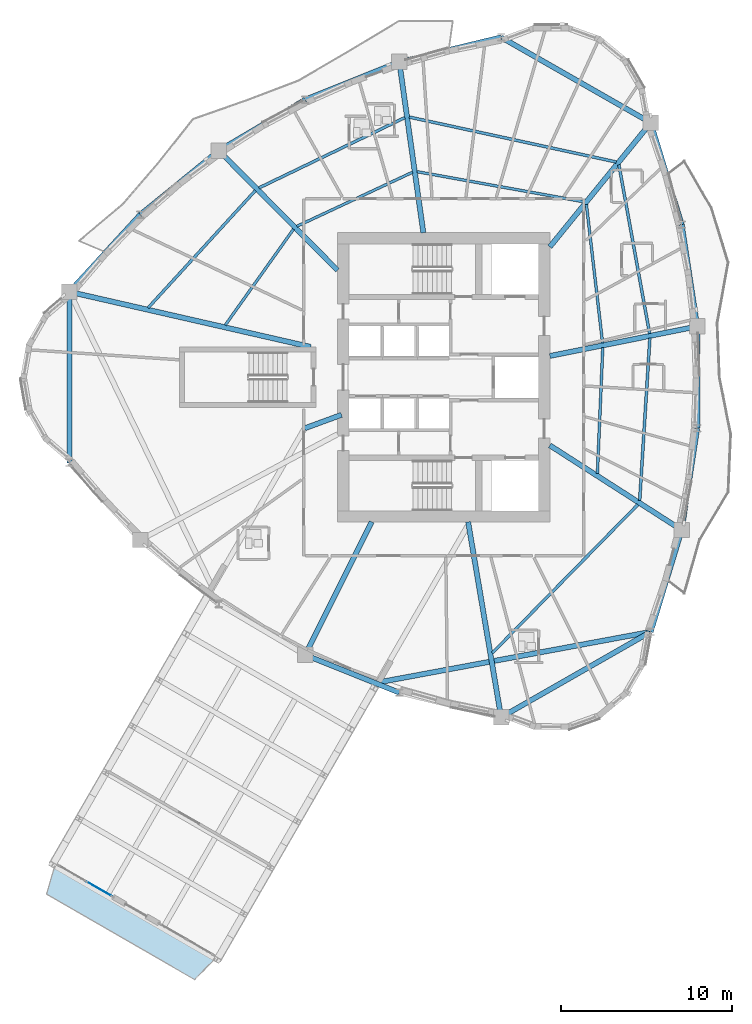
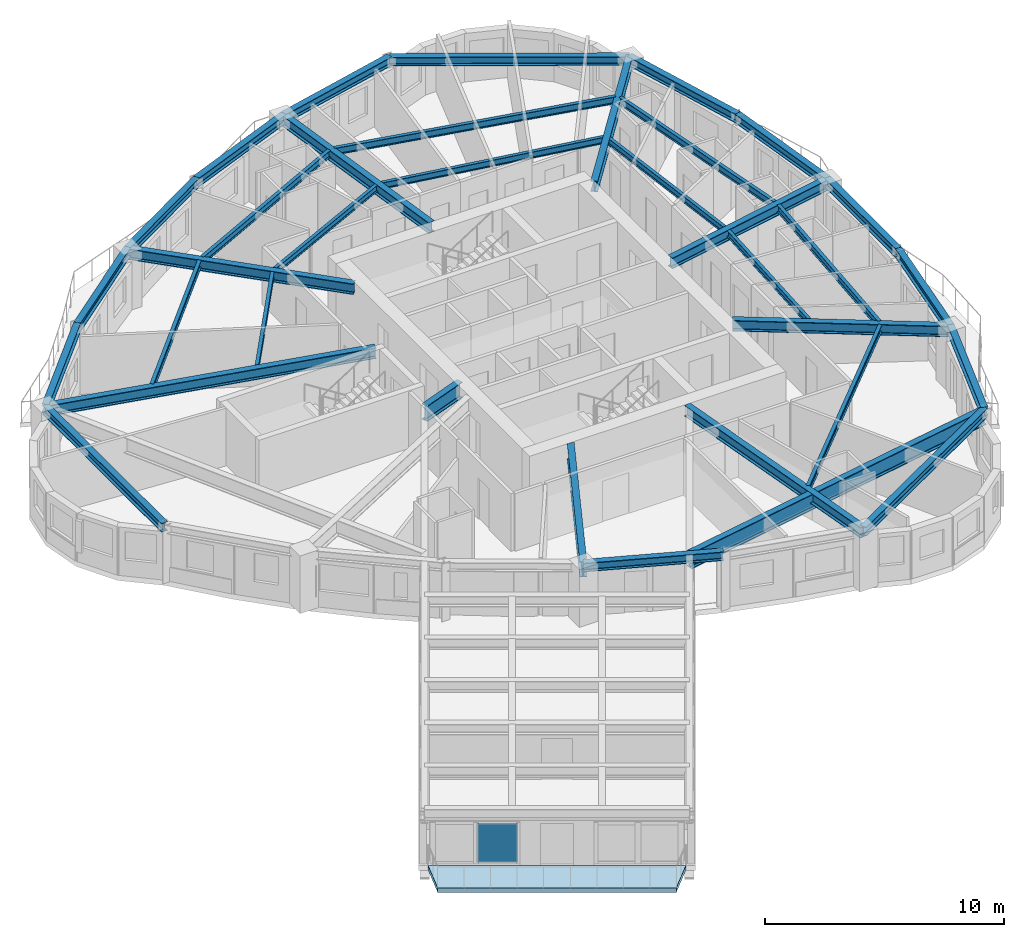
# One storey, part 3 of 17: 35 beams, 1 plate, 1 slab, 1 element without a shape of its own.
"""IFC4 building model written with IfcOpenShell, lengths in metres."""

import ifcopenshell
import ifcopenshell.guid

model = None  # the IFC model being written
_history = None  # IfcOwnerHistory: only IFC2X3 demands one
_inside = {}  # id of a spatial element -> (the spatial element, [elements in it])
_under = {}  # id of a project, library or spatial element -> (it, [spatial elements below it])
_declared = {}  # id of a project -> (the project, [libraries it declares])
_typed = {}  # id of a type object -> (the type object, [elements of that type])
_made_of = {}  # id of a material, layer set ... -> (it, [elements and type objects made of it])


def new_model(schema):
    """Start an empty IFC model of exactly this schema.

    Asked for "IFC4X3", IfcOpenShell would pick the latest addendum, in which some entities
    have other attributes; the version numbers below select the first issue.
    IFC2X3 requires an IfcOwnerHistory on every rooted entity: one is made here for all.
    """
    global model, _history
    if schema == "IFC4X3":
        model = ifcopenshell.file(schema_version=(4, 3, 0, 0))
    else:
        model = ifcopenshell.file(schema=schema)
    _inside.clear()
    _under.clear()
    _declared.clear()
    _typed.clear()
    _made_of.clear()
    _history = None
    if model.schema == "IFC2X3":
        org = make("IfcOrganization", Name="unknown")
        user = make(
            "IfcPersonAndOrganization",
            ThePerson=make("IfcPerson", FamilyName="unknown"),
            TheOrganization=org,
        )
        app = make(
            "IfcApplication",
            ApplicationDeveloper=org,
            Version="unknown",
            ApplicationFullName="unknown",
            ApplicationIdentifier="unknown",
        )
        _history = make(
            "IfcOwnerHistory",
            OwningUser=user,
            OwningApplication=app,
            ChangeAction="ADDED",
            CreationDate=0,
        )
    return model


def make(cls, **values):
    """One entity of the class cls with the attributes given. An attribute that is None is left unset."""
    return model.create_entity(
        cls, **{name: value for name, value in values.items() if value is not None}
    )


def rooted(cls, **values):
    """An entity with a GlobalId (a new one), such as an element, a storey or a relation."""
    return make(cls, GlobalId=ifcopenshell.guid.new(), OwnerHistory=_history, **values)


def si_unit(unit_type, name, prefix=None):
    """IfcSIUnit, for example si_unit("LENGTHUNIT", "METRE", prefix="MILLI")."""
    return make("IfcSIUnit", UnitType=unit_type, Prefix=prefix, Name=name)


def assignment(units):
    """IfcUnitAssignment: the units of a project."""
    return None if units is None else make("IfcUnitAssignment", Units=units)


def point(xyz):
    """IfcCartesianPoint."""
    return None if xyz is None else make("IfcCartesianPoint", Coordinates=xyz)


def direction(xyz):
    """IfcDirection."""
    return None if xyz is None else make("IfcDirection", DirectionRatios=xyz)


def frame(location, z_axis=None, x_axis=None):
    """IfcAxis2Placement3D, a coordinate frame: its origin and axes. An axis left out is left unset."""
    return make(
        "IfcAxis2Placement3D",
        Location=point(location),
        Axis=direction(z_axis),
        RefDirection=direction(x_axis),
    )


def frame_2d(location, x_axis=None):
    """IfcAxis2Placement2D, a coordinate frame in the plane: its origin and x axis."""
    return make(
        "IfcAxis2Placement2D", Location=point(location), RefDirection=direction(x_axis)
    )


def origin():
    """The frame at (0, 0, 0) with its axes left unset."""
    return frame((0.0, 0.0, 0.0))


def origin_2d():
    """The frame at (0, 0) in the plane with its x axis left unset."""
    return frame_2d((0.0, 0.0))


def place(relative_to, where):
    """IfcLocalPlacement: puts the frame where relative to a parent placement (None: the world)."""
    return make(
        "IfcLocalPlacement", PlacementRelTo=relative_to, RelativePlacement=where
    )


def context(
    kind, dimensions, precision=None, world=None, true_north=None, identifier=None
):
    """IfcGeometricRepresentationContext, for example the 3D "Model" context."""
    return make(
        "IfcGeometricRepresentationContext",
        ContextIdentifier=identifier,
        ContextType=kind,
        CoordinateSpaceDimension=dimensions,
        Precision=precision,
        WorldCoordinateSystem=world,
        TrueNorth=true_north,
    )


def subcontext(parent, identifier, kind, view, scale=None):
    """IfcGeometricRepresentationSubContext, for example "Body" below "Model"."""
    return make(
        "IfcGeometricRepresentationSubContext",
        ContextIdentifier=identifier,
        ContextType=kind,
        ParentContext=parent,
        TargetScale=scale,
        TargetView=view,
    )


def project(units=None, contexts=None):
    """IfcProject with its units and contexts."""
    return rooted(
        "IfcProject",
        Name="project",
        RepresentationContexts=contexts,
        UnitsInContext=assignment(units),
    )


def spatial(cls, under=None, at=None, **own):
    """A site, building, storey or space (cls), placed at a placement, below another one or the project."""
    s = rooted(cls, ObjectPlacement=at, **own)
    if under is not None:
        _under.setdefault(under.id(), (under, []))[1].append(s)
    return s


def polyline(points):
    """IfcPolyline through the points."""
    return make("IfcPolyline", Points=[point(p) for p in points])


def profile(cls, at=None, kind="AREA", **sizes):
    """A parametric profile (cls). Its sizes go by their IFC names, for example OverallWidth=200.0."""
    return make(cls, ProfileType=kind, Position=at, **sizes)


def rectangle(**sizes):
    """IfcRectangleProfileDef."""
    return profile("IfcRectangleProfileDef", **sizes)


def i_section(**sizes):
    """IfcIShapeProfileDef."""
    return profile("IfcIShapeProfileDef", **sizes)


def outline(outer, holes=None, kind="AREA"):
    """IfcArbitraryClosedProfileDef: a profile drawn as a closed curve; with holes, ...WithVoids."""
    if holes is None:
        return make("IfcArbitraryClosedProfileDef", ProfileType=kind, OuterCurve=outer)
    return make(
        "IfcArbitraryProfileDefWithVoids",
        ProfileType=kind,
        OuterCurve=outer,
        InnerCurves=holes,
    )


def extrude(swept, where, along, depth):
    """IfcExtrudedAreaSolid: the profile swept, set in the frame where, extruded along a direction by depth."""
    return make(
        "IfcExtrudedAreaSolid",
        SweptArea=swept,
        Position=where,
        ExtrudedDirection=direction(along),
        Depth=depth,
    )


def shape(context_of_items, identifier, shape_type, items):
    """IfcShapeRepresentation: the items that make up one representation, for example the "Body"."""
    return make(
        "IfcShapeRepresentation",
        ContextOfItems=context_of_items,
        RepresentationIdentifier=identifier,
        RepresentationType=shape_type,
        Items=items,
    )


def source(mapping_origin, context_of_items, identifier, shape_type, items):
    """IfcRepresentationMap: a shape defined once, which mapped items show again and again."""
    return make(
        "IfcRepresentationMap",
        MappingOrigin=mapping_origin,
        MappedRepresentation=shape(context_of_items, identifier, shape_type, items),
    )


def transform(
    local_origin,
    x_axis=None,
    y_axis=None,
    z_axis=None,
    scale=None,
    scale2=None,
    scale3=None,
    uniform=True,
):
    """IfcCartesianTransformationOperator3D, or its non-uniform kind. x_axis, y_axis, z_axis: its Axis1, 2, 3."""
    if uniform:
        return make(
            "IfcCartesianTransformationOperator3D",
            Axis1=direction(x_axis),
            Axis2=direction(y_axis),
            LocalOrigin=point(local_origin),
            Scale=scale,
            Axis3=direction(z_axis),
        )
    return make(
        "IfcCartesianTransformationOperator3DnonUniform",
        Axis1=direction(x_axis),
        Axis2=direction(y_axis),
        LocalOrigin=point(local_origin),
        Scale=scale,
        Axis3=direction(z_axis),
        Scale2=scale2,
        Scale3=scale3,
    )


def mapped(mapping_source, mapping_target):
    """IfcMappedItem: shows the shape of a source again, moved by a transform."""
    return make(
        "IfcMappedItem", MappingSource=mapping_source, MappingTarget=mapping_target
    )


def material(Name=None, Category=None):
    """IfcMaterial."""
    return make("IfcMaterial", Name=Name, Category=Category)


def layer(
    of_material, thickness, ventilated=None, Name=None, Category=None, Priority=None
):
    """IfcMaterialLayer: one layer of a wall or slab, of a material (None: an air gap)."""
    return make(
        "IfcMaterialLayer",
        Material=of_material,
        LayerThickness=thickness,
        IsVentilated=ventilated,
        Name=Name,
        Category=Category,
        Priority=Priority,
    )


def layer_set(layers, Name=None):
    """IfcMaterialLayerSet."""
    return make("IfcMaterialLayerSet", MaterialLayers=layers, LayerSetName=Name)


def material_profile(
    of_material, cross_section, Name=None, Category=None, Priority=None
):
    """IfcMaterialProfile: a cross section and its material."""
    return make(
        "IfcMaterialProfile",
        Name=Name,
        Material=of_material,
        Profile=cross_section,
        Priority=Priority,
        Category=Category,
    )


def profile_set(profiles, Name=None, composite=None):
    """IfcMaterialProfileSet."""
    return make(
        "IfcMaterialProfileSet",
        Name=Name,
        MaterialProfiles=profiles,
        CompositeProfile=composite,
    )


def made_of(thing, what):
    """Note that an element or type object is made of a material, layer set ...; save() writes the relation."""
    if what is not None:
        _made_of.setdefault(what.id(), (what, []))[1].append(thing)
    return thing


def type_object(cls, material=None, **own):
    """A type object (cls), such as IfcWallType, which elements share."""
    return made_of(rooted(cls, **own), material)


def element(
    cls,
    number,
    at=None,
    inside=None,
    cuts=None,
    type_object=None,
    material=None,
    context=None,
    identifier="Body",
    shape_type=None,
    held_by="IfcProductDefinitionShape",
    body=None,
    shapes=None,
    **own,
):
    """One element of the class cls, such as IfcWall. Its Tag is "e" and its number.

    at: its placement. inside: the storey or other place that contains it. cuts: it is an
    opening in that element (IfcRelVoidsElement). A single representation is given by context,
    identifier, shape_type and body (its items); several are given by shapes. held_by: the class
    of the entity that holds the representations. save() writes the other relations.
    """
    e = rooted(cls, Tag="e%d" % number, ObjectPlacement=at, **own)
    if body is not None:
        shapes = [shape(context, identifier, shape_type, body)]
    if shapes is not None:
        e.Representation = make(held_by, Representations=shapes)
    if inside is not None:
        _inside.setdefault(inside.id(), (inside, []))[1].append(e)
    if cuts is not None:
        rooted(
            "IfcRelVoidsElement", RelatingBuildingElement=cuts, RelatedOpeningElement=e
        )
    if type_object is not None:
        _typed.setdefault(type_object.id(), (type_object, []))[1].append(e)
    return made_of(e, material)


def aggregate(whole, parts):
    """IfcRelAggregates: a whole, such as a stair, and the parts it consists of."""
    return rooted("IfcRelAggregates", RelatingObject=whole, RelatedObjects=parts)


def save(model, path):
    """Write the relations noted so far, then the file.

    IfcRelAggregates (storeys below a building ...), IfcRelContainedInSpatialStructure (elements
    in a storey), IfcRelDefinesByType, IfcRelAssociatesMaterial and IfcRelDeclares: one each for
    every whole, place, type object, material and project.
    """
    for whole, parts in _under.values():
        aggregate(whole, parts)
    for where, things in _inside.values():
        rooted(
            "IfcRelContainedInSpatialStructure",
            RelatedElements=things,
            RelatingStructure=where,
        )
    for kind, things in _typed.values():
        rooted("IfcRelDefinesByType", RelatedObjects=things, RelatingType=kind)
    for what, things in _made_of.values():
        rooted("IfcRelAssociatesMaterial", RelatedObjects=things, RelatingMaterial=what)
    for by, libraries in _declared.values():
        rooted("IfcRelDeclares", RelatingContext=by, RelatedDefinitions=libraries)
    model.write(path)


model = new_model("IFC4")

# Units and contexts
model_context = context("Model", 3, precision=1e-05, world=origin(), true_north=direction((0.0, 1.0)))
body_context = subcontext(model_context, "Body", "Model", "MODEL_VIEW")
ifc_project = project(units=[si_unit("LENGTHUNIT", "METRE"), si_unit("AREAUNIT", "SQUARE_METRE"), si_unit("VOLUMEUNIT", "CUBIC_METRE"), si_unit("PLANEANGLEUNIT", "RADIAN"), si_unit("MASSUNIT", "GRAM", prefix="KILO")], contexts=[model_context])

# Site, building, storey
site_placement = place(None, origin())
site = spatial("IfcSite", under=ifc_project, at=site_placement, CompositionType="ELEMENT")
building_placement = place(site_placement, origin())
building = spatial("IfcBuilding", under=site, at=building_placement, Name="Qafzar Sky-Pleat Residences", CompositionType="ELEMENT")
storey_placement = place(building_placement, frame((0.0, 0.0, 115.199951171875)))
storey = spatial("IfcBuildingStorey", under=building, at=storey_placement, Name="L34", CompositionType="ELEMENT", Elevation=115.199951171875)

# Beams
ifc_material_1 = material(Name="Steel S355", Category="steel")
ifc_material_profile_1 = material_profile(ifc_material_1, i_section(OverallWidth=0.300048828125, OverallDepth=0.449951171875, WebThickness=0.013916015625, FlangeThickness=0.02587890625, FilletRadius=0.027099609375, at=origin_2d()), Name="HEB 450")
ifc_profile_set_1 = profile_set([ifc_material_profile_1], Name="Steel S355")
beam_type_1 = type_object("IfcBeamType", Name="BM-SPAN-HEB450", PredefinedType="SPANDREL", material=ifc_profile_set_1)
shared_shape_1 = source(origin(), body_context, "Body", "SweptSolid", [
    extrude(i_section(OverallWidth=0.300048828125, OverallDepth=0.449951171875, WebThickness=0.013916015625, FlangeThickness=0.02587890625, FilletRadius=0.027099609375, at=origin_2d()), origin(), (0.0, 0.0, 1.0), 10.072021484375),
])
for number, where, z_axis, x_axis, name in (
    (1, (33.704345703125, 6.12841796875, 2.72314453125), (0.868302801994, 0.496034519011, 0.0), (-0.496034519011, 0.868302801994, 0.0), "L34 Perimeter Spandrel Beam 7"),
    (2, (42.449951171875, 40.87548828125, 2.72314453125), (-0.868302801994, 0.496034519011, 0.0), (-0.496034519011, -0.868302801994, 0.0), "L34 Perimeter Spandrel Beam 13"),
):
    element("IfcBeam", number, at=place(storey_placement, frame(where, z_axis=z_axis, x_axis=x_axis)), inside=storey, type_object=beam_type_1, Name=name, PredefinedType="SPANDREL", context=body_context, shape_type="MappedRepresentation", body=[
        mapped(shared_shape_1, transform((0.0, 0.0, 0.0), x_axis=(1.0, 0.0, 0.0), y_axis=(0.0, 1.0, 0.0), z_axis=(0.0, 0.0, 1.0), scale=1.0)),
    ])
shared_shape_2 = source(origin(), body_context, "Body", "SweptSolid", [
    extrude(i_section(OverallWidth=0.300048828125, OverallDepth=0.449951171875, WebThickness=0.013916015625, FlangeThickness=0.02587890625, FilletRadius=0.027099609375, at=origin_2d()), origin(), (0.0, 0.0, 1.0), 9.99267578125),
])
beam_1_placement = place(storey_placement, frame((8.47412109375, 30.996337890625, 2.72314453125), z_axis=(0.0, -1.0, 0.0), x_axis=(1.0, 0.0, 0.0)))
element("IfcBeam", 3, at=beam_1_placement, inside=storey, type_object=beam_type_1, Name="L34 Perimeter Spandrel Beam 1", PredefinedType="SPANDREL", context=body_context, shape_type="MappedRepresentation", body=[
    mapped(shared_shape_2, transform((0.0, 0.0, 0.0), x_axis=(1.0, 0.0, 0.0), y_axis=(0.0, 1.0, 0.0), z_axis=(0.0, 0.0, 1.0), scale=1.0)),
])
shared_shape_3 = source(origin(), body_context, "Body", "SweptSolid", [
    extrude(i_section(OverallWidth=0.300048828125, OverallDepth=0.449951171875, WebThickness=0.013916015625, FlangeThickness=0.02587890625, FilletRadius=0.027099609375, at=origin_2d()), origin(), (0.0, 0.0, 1.0), 6.12255859375),
])
beam_2_placement = place(storey_placement, frame((12.61572265625, 35.50537109375, 2.72314453125), z_axis=(-0.676462829948, -0.736476774718, 0.0), x_axis=(0.736476774718, -0.676462829948, 0.0)))
element("IfcBeam", 4, at=beam_2_placement, inside=storey, type_object=beam_type_1, Name="L34 Perimeter Spandrel Beam 18", PredefinedType="SPANDREL", context=body_context, shape_type="MappedRepresentation", body=[
    mapped(shared_shape_3, transform((0.0, 0.0, 0.0), x_axis=(1.0, 0.0, 0.0), y_axis=(0.0, 1.0, 0.0), z_axis=(0.0, 0.0, 1.0), scale=1.0)),
])
shared_shape_4 = source(origin(), body_context, "Body", "SweptSolid", [
    extrude(i_section(OverallWidth=0.300048828125, OverallDepth=0.449951171875, WebThickness=0.013916015625, FlangeThickness=0.02587890625, FilletRadius=0.027099609375, at=origin_2d()), origin(), (0.0, 0.0, 1.0), 5.9248046875),
])
beam_3_placement = place(storey_placement, frame((17.20947265625, 39.247314453125, 2.72314453125), z_axis=(-0.775326900383, -0.631560129792, 0.0), x_axis=(0.631560129792, -0.775326900383, 0.0)))
element("IfcBeam", 5, at=beam_3_placement, inside=storey, type_object=beam_type_1, Name="L34 Perimeter Spandrel Beam 17", PredefinedType="SPANDREL", context=body_context, shape_type="MappedRepresentation", body=[
    mapped(shared_shape_4, transform((0.0, 0.0, 0.0), x_axis=(1.0, 0.0, 0.0), y_axis=(0.0, 1.0, 0.0), z_axis=(0.0, 0.0, 1.0), scale=1.0)),
])
shared_shape_5 = source(origin(), body_context, "Body", "SweptSolid", [
    extrude(i_section(OverallWidth=0.300048828125, OverallDepth=0.449951171875, WebThickness=0.013916015625, FlangeThickness=0.02587890625, FilletRadius=0.027099609375, at=origin_2d()), origin(), (0.0, 0.0, 1.0), 5.85791015625),
])
beam_4_placement = place(storey_placement, frame((22.255615234375, 42.222412109375, 2.72314453125), z_axis=(-0.861428087591, -0.507879562406, 0.0), x_axis=(0.507879562406, -0.861428087591, 0.0)))
element("IfcBeam", 6, at=beam_4_placement, inside=storey, type_object=beam_type_1, Name="L34 Perimeter Spandrel Beam 16", PredefinedType="SPANDREL", context=body_context, shape_type="MappedRepresentation", body=[
    mapped(shared_shape_5, transform((0.0, 0.0, 0.0), x_axis=(1.0, 0.0, 0.0), y_axis=(0.0, 1.0, 0.0), z_axis=(0.0, 0.0, 1.0), scale=1.0)),
])
shared_shape_6 = source(origin(), body_context, "Body", "SweptSolid", [
    extrude(i_section(OverallWidth=0.300048828125, OverallDepth=0.449951171875, WebThickness=0.013916015625, FlangeThickness=0.02587890625, FilletRadius=0.027099609375, at=origin_2d()), origin(), (0.0, 0.0, 1.0), 5.925048828125),
])
for number, where, z_axis, x_axis, name in (
    (7, (22.255615234375, 9.777587890625, 2.72314453125), (0.927955757549, -0.372690370189, 0.0), (0.372690370189, 0.927955757549, 0.0), "L34 Perimeter Spandrel Beam 5"),
    (8, (27.75390625, 44.4306640625, 2.72314453125), (-0.927955757549, -0.372690370189, 0.0), (0.372690370189, -0.927955757549, 0.0), "L34 Perimeter Spandrel Beam 15"),
):
    element("IfcBeam", number, at=place(storey_placement, frame(where, z_axis=z_axis, x_axis=x_axis)), inside=storey, type_object=beam_type_1, Name=name, PredefinedType="SPANDREL", context=body_context, shape_type="MappedRepresentation", body=[
        mapped(shared_shape_6, transform((0.0, 0.0, 0.0), x_axis=(1.0, 0.0, 0.0), y_axis=(0.0, 1.0, 0.0), z_axis=(0.0, 0.0, 1.0), scale=1.0)),
    ])
shared_shape_7 = source(origin(), body_context, "Body", "SweptSolid", [
    extrude(i_section(OverallWidth=0.300048828125, OverallDepth=0.449951171875, WebThickness=0.013916015625, FlangeThickness=0.02587890625, FilletRadius=0.027099609375, at=origin_2d()), origin(), (0.0, 0.0, 1.0), 6.122314453125),
])
beam_5_placement = place(storey_placement, frame((33.704345703125, 45.87158203125, 2.72314453125), z_axis=(-0.971910390101, -0.235351213325, 0.0), x_axis=(0.235351213325, -0.971910390101, 0.0)))
element("IfcBeam", 9, at=beam_5_placement, inside=storey, type_object=beam_type_1, Name="L34 Perimeter Spandrel Beam 14", PredefinedType="SPANDREL", context=body_context, shape_type="MappedRepresentation", body=[
    mapped(shared_shape_7, transform((0.0, 0.0, 0.0), x_axis=(1.0, 0.0, 0.0), y_axis=(0.0, 1.0, 0.0), z_axis=(0.0, 0.0, 1.0), scale=1.0)),
])
shared_shape_8 = source(origin(), body_context, "Body", "SweptSolid", [
    extrude(i_section(OverallWidth=0.300048828125, OverallDepth=0.449951171875, WebThickness=0.013916015625, FlangeThickness=0.02587890625, FilletRadius=0.027099609375, at=origin_2d()), origin(), (0.0, 0.0, 1.0), 6.218994140625),
])
for number, where, z_axis, x_axis, name in (
    (10, (42.449951171875, 11.12451171875, 2.72314453125), (0.29085386248, 0.956767490397, 0.0), (-0.956767490397, 0.29085386248, 0.0), "L34 Perimeter Spandrel Beam 8"),
    (11, (44.2587890625, 34.92529296875, 2.72314453125), (-0.29085386248, 0.956767490397, 0.0), (-0.956767490397, -0.29085386248, 0.0), "L34 Perimeter Spandrel Beam 12"),
):
    element("IfcBeam", number, at=place(storey_placement, frame(where, z_axis=z_axis, x_axis=x_axis)), inside=storey, type_object=beam_type_1, Name=name, PredefinedType="SPANDREL", context=body_context, shape_type="MappedRepresentation", body=[
        mapped(shared_shape_8, transform((0.0, 0.0, 0.0), x_axis=(1.0, 0.0, 0.0), y_axis=(0.0, 1.0, 0.0), z_axis=(0.0, 0.0, 1.0), scale=1.0)),
    ])
shared_shape_9 = source(origin(), body_context, "Body", "SweptSolid", [
    extrude(i_section(OverallWidth=0.300048828125, OverallDepth=0.449951171875, WebThickness=0.013916015625, FlangeThickness=0.02587890625, FilletRadius=0.027099609375, at=origin_2d()), origin(), (0.0, 0.0, 1.0), 6.0185546875),
])
for number, where, z_axis, x_axis, name in (
    (12, (44.2587890625, 17.07470703125, 2.72314453125), (0.150292027839, 0.988641647094, 0.0), (-0.988641647094, 0.150292027839, 0.0), "L34 Perimeter Spandrel Beam 9"),
    (13, (45.163330078125, 28.97509765625, 2.72314453125), (-0.150292027839, 0.988641647094, 0.0), (-0.988641647094, -0.150292027839, 0.0), "L34 Perimeter Spandrel Beam 11"),
):
    element("IfcBeam", number, at=place(storey_placement, frame(where, z_axis=z_axis, x_axis=x_axis)), inside=storey, type_object=beam_type_1, Name=name, PredefinedType="SPANDREL", context=body_context, shape_type="MappedRepresentation", body=[
        mapped(shared_shape_9, transform((0.0, 0.0, 0.0), x_axis=(1.0, 0.0, 0.0), y_axis=(0.0, 1.0, 0.0), z_axis=(0.0, 0.0, 1.0), scale=1.0)),
    ])
shared_shape_10 = source(origin(), body_context, "Body", "SweptSolid", [
    extrude(i_section(OverallWidth=0.300048828125, OverallDepth=0.449951171875, WebThickness=0.013916015625, FlangeThickness=0.02587890625, FilletRadius=0.027099609375, at=origin_2d()), origin(), (0.0, 0.0, 1.0), 5.9501953125),
])
beam_6_placement = place(storey_placement, frame((45.163330078125, 23.02490234375, 2.72314453125), z_axis=(0.0, 1.0, 0.0), x_axis=(-1.0, 0.0, 0.0)))
element("IfcBeam", 14, at=beam_6_placement, inside=storey, type_object=beam_type_1, Name="L34 Perimeter Spandrel Beam 10", PredefinedType="SPANDREL", context=body_context, shape_type="MappedRepresentation", body=[
    mapped(shared_shape_10, transform((0.0, 0.0, 0.0), x_axis=(1.0, 0.0, 0.0), y_axis=(0.0, 1.0, 0.0), z_axis=(0.0, 0.0, 1.0), scale=1.0)),
])
ifc_material_profile_2 = material_profile(ifc_material_1, i_section(OverallWidth=0.300048828125, OverallDepth=0.550048828125, WebThickness=0.014892578125, FlangeThickness=0.029052734375, FilletRadius=0.027099609375, at=origin_2d()), Name="HEB 550")
ifc_profile_set_2 = profile_set([ifc_material_profile_2], Name="Steel S355")
beam_type_2 = type_object("IfcBeamType", Name="BM-GIRD-HEB550", PredefinedType="BEAM", material=ifc_profile_set_2)
shared_shape_11 = source(origin(), body_context, "Body", "SweptSolid", [
    extrude(i_section(OverallWidth=0.300048828125, OverallDepth=0.550048828125, WebThickness=0.014892578125, FlangeThickness=0.029052734375, FilletRadius=0.027099609375, at=origin_2d()), origin(), (0.0, 0.0, 1.0), 14.467529296875),
])
beam_7_placement = place(storey_placement, frame((8.47412109375, 30.996337890625, 2.673095703125), z_axis=(0.974894417423, -0.222667633205, 0.0), x_axis=(0.222667633205, 0.974894417423, 0.0)))
element("IfcBeam", 15, at=beam_7_placement, inside=storey, type_object=beam_type_2, Name="L34 Radial Floor Girder 1", PredefinedType="BEAM", context=body_context, shape_type="MappedRepresentation", body=[
    mapped(shared_shape_11, transform((0.0, 0.0, 0.0), x_axis=(1.0, 0.0, 0.0), y_axis=(0.0, 1.0, 0.0), z_axis=(0.0, 0.0, 1.0), scale=1.0)),
])
ifc_material_2 = material(Name="Steel S460", Category="steel")
ifc_material_profile_3 = material_profile(ifc_material_2, i_section(OverallWidth=0.300048828125, OverallDepth=0.800048828125, WebThickness=0.017578125, FlangeThickness=0.032958984375, FilletRadius=0.030029296875, at=origin_2d()), Name="HEB 800")
ifc_profile_set_3 = profile_set([ifc_material_profile_3], Name="Steel S460")
beam_type_3 = type_object("IfcBeamType", Name="BM-CHORD-HEB800", PredefinedType="BEAM", material=ifc_profile_set_3)
shared_shape_12 = source(origin(), body_context, "Body", "SweptSolid", [
    extrude(i_section(OverallWidth=0.300048828125, OverallDepth=0.800048828125, WebThickness=0.017578125, FlangeThickness=0.032958984375, FilletRadius=0.030029296875, at=origin_2d()), origin(), (0.0, 0.0, 1.0), 8.686279296875),
])
beam_8_placement = place(storey_placement, frame((22.255615234375, 9.777587890625, 2.548095703125), z_axis=(0.446471430543, 0.894797888749, 0.0), x_axis=(-0.894797888749, 0.446471430543, 0.0)))
element("IfcBeam", 16, at=beam_8_placement, inside=storey, type_object=beam_type_3, Name="L34 Radial Floor Girder 5", PredefinedType="BEAM", context=body_context, shape_type="MappedRepresentation", body=[
    mapped(shared_shape_12, transform((0.0, 0.0, 0.0), x_axis=(1.0, 0.0, 0.0), y_axis=(0.0, 1.0, 0.0), z_axis=(0.0, 0.0, 1.0), scale=1.0)),
])
shared_shape_13 = source(origin(), body_context, "Body", "SweptSolid", [
    extrude(i_section(OverallWidth=0.300048828125, OverallDepth=0.550048828125, WebThickness=0.014892578125, FlangeThickness=0.029052734375, FilletRadius=0.027099609375, at=origin_2d()), origin(), (0.0, 0.0, 1.0), 11.583251953125),
])
beam_9_placement = place(storey_placement, frame((33.704345703125, 6.12841796875, 2.673095703125), z_axis=(-0.166445961411, 0.986050577775, 0.0), x_axis=(-0.986050577775, -0.166445961411, 0.0)))
element("IfcBeam", 17, at=beam_9_placement, inside=storey, type_object=beam_type_2, Name="L34 Radial Floor Girder 7", PredefinedType="BEAM", context=body_context, shape_type="MappedRepresentation", body=[
    mapped(shared_shape_13, transform((0.0, 0.0, 0.0), x_axis=(1.0, 0.0, 0.0), y_axis=(0.0, 1.0, 0.0), z_axis=(0.0, 0.0, 1.0), scale=1.0)),
])
shared_shape_14 = source(origin(), body_context, "Body", "SweptSolid", [
    extrude(i_section(OverallWidth=0.300048828125, OverallDepth=0.550048828125, WebThickness=0.014892578125, FlangeThickness=0.029052734375, FilletRadius=0.027099609375, at=origin_2d()), origin(), (0.0, 0.0, 1.0), 9.159423828125),
])
beam_10_placement = place(storey_placement, frame((44.2587890625, 17.07470703125, 2.673095703125), z_axis=(-0.841617276393, 0.540074402352, 0.0), x_axis=(-0.540074402352, -0.841617276393, 0.0)))
element("IfcBeam", 18, at=beam_10_placement, inside=storey, type_object=beam_type_2, Name="L34 Radial Floor Girder 9", PredefinedType="BEAM", context=body_context, shape_type="MappedRepresentation", body=[
    mapped(shared_shape_14, transform((0.0, 0.0, 0.0), x_axis=(1.0, 0.0, 0.0), y_axis=(0.0, 1.0, 0.0), z_axis=(0.0, 0.0, 1.0), scale=1.0)),
])
shared_shape_15 = source(origin(), body_context, "Body", "SweptSolid", [
    extrude(i_section(OverallWidth=0.300048828125, OverallDepth=0.550048828125, WebThickness=0.014892578125, FlangeThickness=0.029052734375, FilletRadius=0.027099609375, at=origin_2d()), origin(), (0.0, 0.0, 1.0), 8.785400390625),
])
beam_11_placement = place(storey_placement, frame((45.163330078125, 28.97509765625, 2.673095703125), z_axis=(-0.980420022931, -0.196917695082, 0.0), x_axis=(0.196917695082, -0.980420022931, 0.0)))
element("IfcBeam", 19, at=beam_11_placement, inside=storey, type_object=beam_type_2, Name="L34 Radial Floor Girder 11", PredefinedType="BEAM", context=body_context, shape_type="MappedRepresentation", body=[
    mapped(shared_shape_15, transform((0.0, 0.0, 0.0), x_axis=(1.0, 0.0, 0.0), y_axis=(0.0, 1.0, 0.0), z_axis=(0.0, 0.0, 1.0), scale=1.0)),
])
shared_shape_16 = source(origin(), body_context, "Body", "SweptSolid", [
    extrude(i_section(OverallWidth=0.300048828125, OverallDepth=0.550048828125, WebThickness=0.014892578125, FlangeThickness=0.029052734375, FilletRadius=0.027099609375, at=origin_2d()), origin(), (0.0, 0.0, 1.0), 9.349609375),
])
beam_12_placement = place(storey_placement, frame((42.449951171875, 40.87548828125, 2.673095703125), z_axis=(-0.631024083188, -0.775763241225, 0.0), x_axis=(0.775763241225, -0.631024083188, 0.0)))
element("IfcBeam", 20, at=beam_12_placement, inside=storey, type_object=beam_type_2, Name="L34 Radial Floor Girder 13", PredefinedType="BEAM", context=body_context, shape_type="MappedRepresentation", body=[
    mapped(shared_shape_16, transform((0.0, 0.0, 0.0), x_axis=(1.0, 0.0, 0.0), y_axis=(0.0, 1.0, 0.0), z_axis=(0.0, 0.0, 1.0), scale=1.0)),
])
shared_shape_17 = source(origin(), body_context, "Body", "SweptSolid", [
    extrude(i_section(OverallWidth=0.300048828125, OverallDepth=0.550048828125, WebThickness=0.014892578125, FlangeThickness=0.029052734375, FilletRadius=0.027099609375, at=origin_2d()), origin(), (0.0, 0.0, 1.0), 10.079345703125),
])
beam_13_placement = place(storey_placement, frame((27.75390625, 44.4306640625, 2.673095703125), z_axis=(0.139471198015, -0.990226128177, 0.0), x_axis=(0.990226128177, 0.139471198015, 0.0)))
element("IfcBeam", 21, at=beam_13_placement, inside=storey, type_object=beam_type_2, Name="L34 Radial Floor Girder 15", PredefinedType="BEAM", context=body_context, shape_type="MappedRepresentation", body=[
    mapped(shared_shape_17, transform((0.0, 0.0, 0.0), x_axis=(1.0, 0.0, 0.0), y_axis=(0.0, 1.0, 0.0), z_axis=(0.0, 0.0, 1.0), scale=1.0)),
])
shared_shape_18 = source(origin(), body_context, "Body", "SweptSolid", [
    extrude(i_section(OverallWidth=0.300048828125, OverallDepth=0.550048828125, WebThickness=0.014892578125, FlangeThickness=0.029052734375, FilletRadius=0.027099609375, at=origin_2d()), origin(), (0.0, 0.0, 1.0), 9.855224609375),
])
beam_14_placement = place(storey_placement, frame((17.20947265625, 39.247314453125, 2.673095703125), z_axis=(0.704239739609, -0.70996224488, 0.0), x_axis=(0.70996224488, 0.704239739609, 0.0)))
element("IfcBeam", 22, at=beam_14_placement, inside=storey, type_object=beam_type_2, Name="L34 Radial Floor Girder 17", PredefinedType="BEAM", context=body_context, shape_type="MappedRepresentation", body=[
    mapped(shared_shape_18, transform((0.0, 0.0, 0.0), x_axis=(1.0, 0.0, 0.0), y_axis=(0.0, 1.0, 0.0), z_axis=(0.0, 0.0, 1.0), scale=1.0)),
])
ifc_material_profile_4 = material_profile(ifc_material_1, i_section(OverallWidth=0.169921875, OverallDepth=0.360107421875, WebThickness=0.008056640625, FlangeThickness=0.0126953125, FilletRadius=0.01806640625, at=origin_2d()), Name="IPE 360")
ifc_profile_set_4 = profile_set([ifc_material_profile_4], Name="Steel S355")
beam_type_4 = type_object("IfcBeamType", Name="BM-JST-IPE360", PredefinedType="JOIST", material=ifc_profile_set_4)
shared_shape_19 = source(origin(), body_context, "Body", "SweptSolid", [
    extrude(i_section(OverallWidth=0.169921875, OverallDepth=0.360107421875, WebThickness=0.008056640625, FlangeThickness=0.0126953125, FilletRadius=0.01806640625, at=origin_2d()), origin(), (0.0, 0.0, 1.0), 12.160888671875),
])
beam_15_placement = place(storey_placement, frame((33.181884765625, 9.879638671875, 2.76806640625), z_axis=(0.700248022954, 0.713899647254, 0.0), x_axis=(-0.713899647254, 0.700248022954, 0.0)))
element("IfcBeam", 23, at=beam_15_placement, inside=storey, type_object=beam_type_4, Name="L34 Outer Secondary Floor Joist 4", PredefinedType="JOIST", context=body_context, shape_type="MappedRepresentation", body=[
    mapped(shared_shape_19, transform((0.0, 0.0, 0.0), x_axis=(1.0, 0.0, 0.0), y_axis=(0.0, 1.0, 0.0), z_axis=(0.0, 0.0, 1.0), scale=1.0)),
])
shared_shape_20 = source(origin(), body_context, "Body", "SweptSolid", [
    extrude(i_section(OverallWidth=0.169921875, OverallDepth=0.360107421875, WebThickness=0.008056640625, FlangeThickness=0.0126953125, FilletRadius=0.01806640625, at=origin_2d()), origin(), (0.0, 0.0, 1.0), 9.51318359375),
])
beam_16_placement = place(storey_placement, frame((41.800537109375, 18.79248046875, 2.76806640625), z_axis=(0.062875168504, 0.998021399162, 0.0), x_axis=(-0.998021399162, 0.062875168504, 0.0)))
element("IfcBeam", 24, at=beam_16_placement, inside=storey, type_object=beam_type_4, Name="L34 Outer Secondary Floor Joist 5", PredefinedType="JOIST", context=body_context, shape_type="MappedRepresentation", body=[
    mapped(shared_shape_20, transform((0.0, 0.0, 0.0), x_axis=(1.0, 0.0, 0.0), y_axis=(0.0, 1.0, 0.0), z_axis=(0.0, 0.0, 1.0), scale=1.0)),
])
shared_shape_21 = source(origin(), body_context, "Body", "SweptSolid", [
    extrude(i_section(OverallWidth=0.169921875, OverallDepth=0.360107421875, WebThickness=0.008056640625, FlangeThickness=0.0126953125, FilletRadius=0.01806640625, at=origin_2d()), origin(), (0.0, 0.0, 1.0), 10.029541015625),
])
beam_17_placement = place(storey_placement, frame((42.3828125, 28.55419921875, 2.76806640625), z_axis=(-0.17913177225, 0.983825090232, 0.0), x_axis=(-0.983825090232, -0.17913177225, 0.0)))
element("IfcBeam", 25, at=beam_17_placement, inside=storey, type_object=beam_type_4, Name="L34 Outer Secondary Floor Joist 6", PredefinedType="JOIST", context=body_context, shape_type="MappedRepresentation", body=[
    mapped(shared_shape_21, transform((0.0, 0.0, 0.0), x_axis=(1.0, 0.0, 0.0), y_axis=(0.0, 1.0, 0.0), z_axis=(0.0, 0.0, 1.0), scale=1.0)),
])
shared_shape_22 = source(origin(), body_context, "Body", "SweptSolid", [
    extrude(i_section(OverallWidth=0.169921875, OverallDepth=0.360107421875, WebThickness=0.008056640625, FlangeThickness=0.0126953125, FilletRadius=0.01806640625, at=origin_2d()), origin(), (0.0, 0.0, 1.0), 12.376220703125),
])
beam_18_placement = place(storey_placement, frame((40.43017578125, 38.5830078125, 2.76806640625), z_axis=(-0.97724325815, 0.212121697145, 0.0), x_axis=(-0.212121697145, -0.97724325815, 0.0)))
element("IfcBeam", 26, at=beam_18_placement, inside=storey, type_object=beam_type_4, Name="L34 Outer Secondary Floor Joist 7", PredefinedType="JOIST", context=body_context, shape_type="MappedRepresentation", body=[
    mapped(shared_shape_22, transform((0.0, 0.0, 0.0), x_axis=(1.0, 0.0, 0.0), y_axis=(0.0, 1.0, 0.0), z_axis=(0.0, 0.0, 1.0), scale=1.0)),
])
shared_shape_23 = source(origin(), body_context, "Body", "SweptSolid", [
    extrude(i_section(OverallWidth=0.169921875, OverallDepth=0.360107421875, WebThickness=0.008056640625, FlangeThickness=0.0126953125, FilletRadius=0.01806640625, at=origin_2d()), origin(), (0.0, 0.0, 1.0), 9.46923828125),
])
beam_19_placement = place(storey_placement, frame((28.08203125, 41.17822265625, 2.76806640625), z_axis=(-0.900825049044, -0.434182255528, 0.0), x_axis=(0.434182255528, -0.900825049044, 0.0)))
element("IfcBeam", 27, at=beam_19_placement, inside=storey, type_object=beam_type_4, Name="L34 Outer Secondary Floor Joist 8", PredefinedType="JOIST", context=body_context, shape_type="MappedRepresentation", body=[
    mapped(shared_shape_23, transform((0.0, 0.0, 0.0), x_axis=(1.0, 0.0, 0.0), y_axis=(0.0, 1.0, 0.0), z_axis=(0.0, 0.0, 1.0), scale=1.0)),
])
shared_shape_24 = source(origin(), body_context, "Body", "SweptSolid", [
    extrude(i_section(OverallWidth=0.169921875, OverallDepth=0.360107421875, WebThickness=0.008056640625, FlangeThickness=0.0126953125, FilletRadius=0.01806640625, at=origin_2d()), origin(), (0.0, 0.0, 1.0), 9.275146484375),
])
beam_20_placement = place(storey_placement, frame((19.33935546875, 36.90869140625, 2.76806640625), z_axis=(-0.67499364596, -0.737823541176, 0.0), x_axis=(0.737823541176, -0.67499364596, 0.0)))
element("IfcBeam", 28, at=beam_20_placement, inside=storey, type_object=beam_type_4, Name="L34 Outer Secondary Floor Joist 9", PredefinedType="JOIST", context=body_context, shape_type="MappedRepresentation", body=[
    mapped(shared_shape_24, transform((0.0, 0.0, 0.0), x_axis=(1.0, 0.0, 0.0), y_axis=(0.0, 1.0, 0.0), z_axis=(0.0, 0.0, 1.0), scale=1.0)),
])
ifc_material_profile_5 = material_profile(ifc_material_1, i_section(OverallWidth=0.159912109375, OverallDepth=0.330078125, WebThickness=0.007568359375, FlangeThickness=0.011474609375, FilletRadius=0.01806640625, at=origin_2d()), Name="IPE 330")
ifc_profile_set_5 = profile_set([ifc_material_profile_5], Name="Steel S355")
beam_type_5 = type_object("IfcBeamType", Name="BM-JST-IPE330", PredefinedType="JOIST", material=ifc_profile_set_5)
shared_shape_25 = source(origin(), body_context, "Body", "SweptSolid", [
    extrude(i_section(OverallWidth=0.159912109375, OverallDepth=0.330078125, WebThickness=0.007568359375, FlangeThickness=0.011474609375, FilletRadius=0.01806640625, at=origin_2d()), origin(), (0.0, 0.0, 1.0), 7.3642578125),
])
beam_21_placement = place(storey_placement, frame((39.3310546875, 20.37548828125, 2.782958984375), z_axis=(0.042633001597, 0.999090800265, 0.0), x_axis=(-0.999090800265, 0.042633001597, 0.0)))
element("IfcBeam", 29, at=beam_21_placement, inside=storey, type_object=beam_type_5, Name="L34 Inner Secondary Floor Joist 5", PredefinedType="JOIST", context=body_context, shape_type="MappedRepresentation", body=[
    mapped(shared_shape_25, transform((0.0, 0.0, 0.0), x_axis=(1.0, 0.0, 0.0), y_axis=(0.0, 1.0, 0.0), z_axis=(0.0, 0.0, 1.0), scale=1.0)),
])
shared_shape_26 = source(origin(), body_context, "Body", "SweptSolid", [
    extrude(i_section(OverallWidth=0.159912109375, OverallDepth=0.330078125, WebThickness=0.007568359375, FlangeThickness=0.011474609375, FilletRadius=0.01806640625, at=origin_2d()), origin(), (0.0, 0.0, 1.0), 8.152099609375),
])
beam_22_placement = place(storey_placement, frame((39.635009765625, 28.002197265625, 2.782958984375), z_axis=(-0.115958503169, 0.993254058911, 0.0), x_axis=(-0.993254058911, -0.115958503169, 0.0)))
element("IfcBeam", 30, at=beam_22_placement, inside=storey, type_object=beam_type_5, Name="L34 Inner Secondary Floor Joist 6", PredefinedType="JOIST", context=body_context, shape_type="MappedRepresentation", body=[
    mapped(shared_shape_26, transform((0.0, 0.0, 0.0), x_axis=(1.0, 0.0, 0.0), y_axis=(0.0, 1.0, 0.0), z_axis=(0.0, 0.0, 1.0), scale=1.0)),
])
shared_shape_27 = source(origin(), body_context, "Body", "SweptSolid", [
    extrude(i_section(OverallWidth=0.159912109375, OverallDepth=0.330078125, WebThickness=0.007568359375, FlangeThickness=0.011474609375, FilletRadius=0.01806640625, at=origin_2d()), origin(), (0.0, 0.0, 1.0), 9.912353515625),
])
beam_23_placement = place(storey_placement, frame((38.541015625, 36.25732421875, 2.782958984375), z_axis=(-0.98407966549, 0.177727915559, 0.0), x_axis=(-0.177727915559, -0.98407966549, 0.0)))
element("IfcBeam", 31, at=beam_23_placement, inside=storey, type_object=beam_type_5, Name="L34 Inner Secondary Floor Joist 7", PredefinedType="JOIST", context=body_context, shape_type="MappedRepresentation", body=[
    mapped(shared_shape_27, transform((0.0, 0.0, 0.0), x_axis=(1.0, 0.0, 0.0), y_axis=(0.0, 1.0, 0.0), z_axis=(0.0, 0.0, 1.0), scale=1.0)),
])
shared_shape_28 = source(origin(), body_context, "Body", "SweptSolid", [
    extrude(i_section(OverallWidth=0.159912109375, OverallDepth=0.330078125, WebThickness=0.007568359375, FlangeThickness=0.011474609375, FilletRadius=0.01806640625, at=origin_2d()), origin(), (0.0, 0.0, 1.0), 7.459716796875),
])
beam_24_placement = place(storey_placement, frame((28.53125, 37.98583984375, 2.782958984375), z_axis=(-0.905880232966, -0.423533946126, 0.0), x_axis=(0.423533946126, -0.905880232966, 0.0)))
element("IfcBeam", 32, at=beam_24_placement, inside=storey, type_object=beam_type_5, Name="L34 Inner Secondary Floor Joist 8", PredefinedType="JOIST", context=body_context, shape_type="MappedRepresentation", body=[
    mapped(shared_shape_28, transform((0.0, 0.0, 0.0), x_axis=(1.0, 0.0, 0.0), y_axis=(0.0, 1.0, 0.0), z_axis=(0.0, 0.0, 1.0), scale=1.0)),
])
shared_shape_29 = source(origin(), body_context, "Body", "SweptSolid", [
    extrude(i_section(OverallWidth=0.159912109375, OverallDepth=0.330078125, WebThickness=0.007568359375, FlangeThickness=0.011474609375, FilletRadius=0.01806640625, at=origin_2d()), origin(), (0.0, 0.0, 1.0), 6.890380859375),
])
beam_25_placement = place(storey_placement, frame((21.5732421875, 34.6591796875, 2.782958984375), z_axis=(-0.579678568702, -0.814845234991, 0.0), x_axis=(0.814845234991, -0.579678568702, 0.0)))
element("IfcBeam", 33, at=beam_25_placement, inside=storey, type_object=beam_type_5, Name="L34 Inner Secondary Floor Joist 9", PredefinedType="JOIST", context=body_context, shape_type="MappedRepresentation", body=[
    mapped(shared_shape_29, transform((0.0, 0.0, 0.0), x_axis=(1.0, 0.0, 0.0), y_axis=(0.0, 1.0, 0.0), z_axis=(0.0, 0.0, 1.0), scale=1.0)),
])
shared_shape_30 = source(origin(), body_context, "Body", "SweptSolid", [
    extrude(i_section(OverallWidth=0.300048828125, OverallDepth=0.800048828125, WebThickness=0.017578125, FlangeThickness=0.032958984375, FilletRadius=0.030029296875, at=origin_2d()), origin(), (0.0, 0.0, 1.0), 2.297119140625),
])
beam_26_placement = place(storey_placement, frame((22.218505859375, 23.015869140625, 2.546142578125), z_axis=(0.938765199412, 0.344557542906, 0.0), x_axis=(-0.344557542906, 0.938765199412, 0.0)))
element("IfcBeam", 34, at=beam_26_placement, inside=storey, type_object=beam_type_3, Name="L34 SB-3 Core Back-Span Tie Girder R", PredefinedType="BEAM", context=body_context, shape_type="MappedRepresentation", body=[
    mapped(shared_shape_30, transform((0.0, 0.0, 0.0), x_axis=(1.0, 0.0, 0.0), y_axis=(0.0, 1.0, 0.0), z_axis=(0.0, 0.0, 1.0), scale=1.0)),
])
shared_shape_31 = source(origin(), body_context, "Body", "SweptSolid", [
    extrude(i_section(OverallWidth=0.300048828125, OverallDepth=0.800048828125, WebThickness=0.017578125, FlangeThickness=0.032958984375, FilletRadius=0.030029296875, at=origin_2d()), origin(), (0.0, 0.0, 1.0), 16.266845703125),
])
beam_27_placement = place(storey_placement, frame((42.449951171875, 11.12451171875, 2.548095703125), z_axis=(-0.983210668892, -0.182474054532, 0.0), x_axis=(0.182474054532, -0.983210668892, 0.0)))
element("IfcBeam", 35, at=beam_27_placement, inside=storey, type_object=beam_type_3, Name="L34 SB-3 Wing-Belt Top Chord L", PredefinedType="BEAM", context=body_context, shape_type="MappedRepresentation", body=[
    mapped(shared_shape_31, transform((0.0, 0.0, 0.0), x_axis=(1.0, 0.0, 0.0), y_axis=(0.0, 1.0, 0.0), z_axis=(0.0, 0.0, 1.0), scale=1.0)),
])

# Slab
ifc_material_3 = material(Name="Concrete C40/50", Category="concrete")
ifc_layer_1 = layer(ifc_material_3, 0.22998046875)
ifc_layer_set_1 = layer_set([ifc_layer_1], Name="Concrete C40/50")
slab_type = type_object("IfcSlabType", Name="SLAB-BAL-230", PredefinedType="USERDEFINED", material=ifc_layer_set_1)
slab_placement = place(storey_placement, frame((0.0, 0.0, -0.22998046875)))
element("IfcSlab", 36, at=slab_placement, inside=storey, type_object=slab_type, Name="L34 SB-3 Tip Observation Balcony", ObjectType="BALCONY", PredefinedType="USERDEFINED", context=body_context, shape_type="SweptSolid", body=[
    extrude(outline(polyline([(7.61083984375, -2.58544921875), (7.1396484375, -4.201416015625), (15.7998046875, -9.201416015625), (16.9638671875, -7.985595703125), (7.61083984375, -2.58544921875)])), origin(), (0.0, 0.0, 1.0), 0.22998046875),
])

# Curtain wall, plate
ifc_material_4 = material(Name="Anodised bronze aluminium framing", Category="aluminium")
ifc_layer_2 = layer(ifc_material_4, 0.219970703125)
ifc_layer_set_2 = layer_set([ifc_layer_2], Name="Anodised bronze aluminium framing")
curtain_wall_type = type_object("IfcCurtainWallType", Name="CW-SYS-03", PredefinedType="NOTDEFINED", material=ifc_layer_set_2)
curtain_wall_placement = place(storey_placement, origin())
curtain_wall = element("IfcCurtainWall", 37, at=curtain_wall_placement, inside=storey, type_object=curtain_wall_type, Name="L34 CW-03 Curtain Wall CW-L34-SB-3-PROW-R", PredefinedType="NOTDEFINED")
ifc_material_5 = material(Name="Solar-control double low-E glazing", Category="glass")
ifc_layer_3 = layer(ifc_material_5, 0.030029296875)
ifc_layer_set_3 = layer_set([ifc_layer_3], Name="Solar-control double low-E glazing")
plate_type = type_object("IfcPlateType", Name="CWP-03", PredefinedType="CURTAIN_PANEL", material=ifc_layer_set_3)
shared_shape_32 = source(origin(), body_context, "Body", "SweptSolid", [
    extrude(rectangle(XDim=1.735107421875, YDim=0.030029296875, at=origin_2d()), origin(), (0.0, 0.0, 1.0), 1.989990234375),
])
plate_placement = place(storey_placement, frame((10.206787109375, -3.893798828125, 0.06982421875), z_axis=(0.0, 0.0, 1.0), x_axis=(-0.866027204994, 0.499996880201, 0.0)))
plate = element("IfcPlate", 38, at=plate_placement, type_object=plate_type, Name="CW-03 panel 1.1", PredefinedType="CURTAIN_PANEL", context=body_context, shape_type="MappedRepresentation", body=[
    mapped(shared_shape_32, transform((0.0, 0.0, 0.0), x_axis=(1.0, 0.0, 0.0), y_axis=(0.0, 1.0, 0.0), z_axis=(0.0, 0.0, 1.0), scale=1.0)),
])
aggregate(curtain_wall, [plate])

save(model, "model.ifc")
